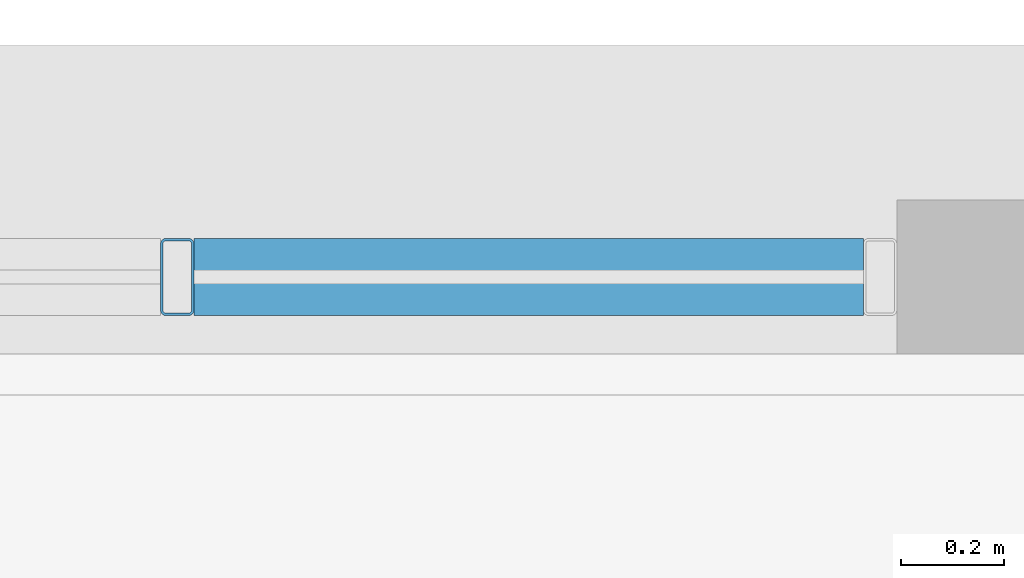
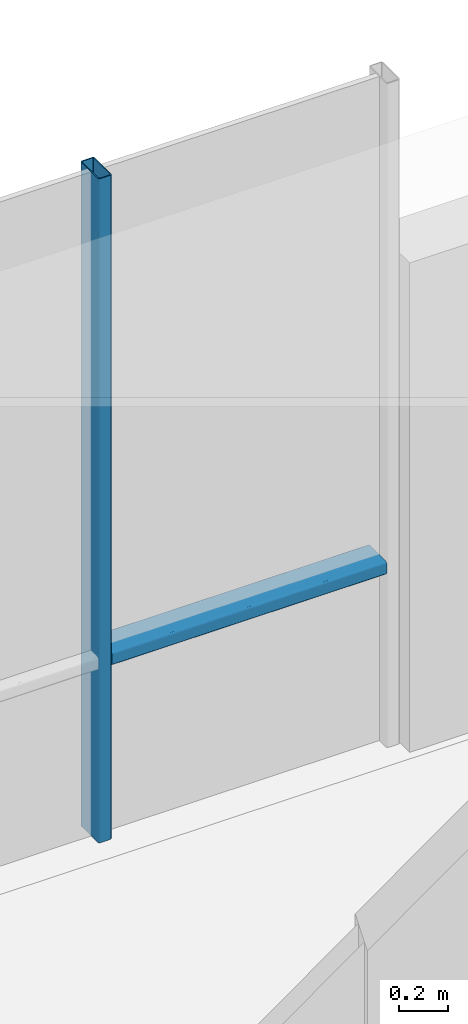
# One storey, part 12 of 35: 2 members, 1 element without a shape of its own.
"""IFC4 building model written with IfcOpenShell, lengths in metres."""

from ifc_helpers import new_model, si_unit, direction, frame, origin, origin_2d, place, context, subcontext, project, spatial, hollow_rectangle, extrude, material, layer, layer_set, material_profile, profile_set, type_object, element, aggregate, save


model = new_model("IFC4")

# Units and contexts
model_context = context("Model", 3, precision=1e-05, world=origin(), true_north=direction((0.0, 1.0)))
body_context = subcontext(model_context, "Body", "Model", "MODEL_VIEW")
ifc_project = project(units=[si_unit("LENGTHUNIT", "METRE"), si_unit("AREAUNIT", "SQUARE_METRE"), si_unit("VOLUMEUNIT", "CUBIC_METRE"), si_unit("PLANEANGLEUNIT", "RADIAN"), si_unit("MASSUNIT", "GRAM", prefix="KILO")], contexts=[model_context])

# Site, building, storey
site_placement = place(None, origin())
site = spatial("IfcSite", under=ifc_project, at=site_placement, CompositionType="ELEMENT")
building_placement = place(site_placement, origin())
building = spatial("IfcBuilding", under=site, at=building_placement, Name="Brevholm Reach", CompositionType="ELEMENT")
storey_placement = place(building_placement, frame((0.0, 0.0, 214.39990234375)))
storey = spatial("IfcBuildingStorey", under=building, at=storey_placement, Name="L65", CompositionType="ELEMENT", Elevation=214.39990234375)

# Curtain wall, members
ifc_material_1 = material(Name="Dark Anodised Aluminium 6063-T6 and Solar-Control Glass", Category="aluminium")
ifc_layer = layer(ifc_material_1, 0.14990234375)
ifc_layer_set = layer_set([ifc_layer], Name="Dark Anodised Aluminium 6063-T6 and Solar-Control Glass")
curtain_wall_type = type_object("IfcCurtainWallType", Name="CW-01", PredefinedType="NOTDEFINED", material=ifc_layer_set)
curtain_wall_placement = place(storey_placement, origin())
curtain_wall = element("IfcCurtainWall", 1, at=curtain_wall_placement, inside=storey, type_object=curtain_wall_type, Name="L65 Curtain Wall CW-01", PredefinedType="NOTDEFINED")
ifc_material_2 = material(Name="Dark Anodised Aluminium 6063-T6", Category="aluminium")
ifc_material_profile_1 = material_profile(ifc_material_2, hollow_rectangle(XDim=0.06494140625, YDim=0.14990234375, WallThickness=0.0048828125, InnerFilletRadius=0.0048828125, OuterFilletRadius=0.010009765625, at=origin_2d()), Name="RHS 150x65x5")
ifc_profile_set_1 = profile_set([ifc_material_profile_1], Name="Dark Anodised Aluminium 6063-T6")
member_type_1 = type_object("IfcMemberType", Name="CWM-150", PredefinedType="MULLION", material=ifc_profile_set_1)
member_1_placement = place(storey_placement, frame((30.800048828125, 26.35009765625, 0.0), z_axis=(0.0, 0.0, 1.0), x_axis=(1.0, 0.0, 0.0)))
member_1 = element("IfcMember", 2, at=member_1_placement, type_object=member_type_1, Name="CM-150 Mullion 2", PredefinedType="MULLION", context=body_context, shape_type="SweptSolid", body=[
    extrude(hollow_rectangle(XDim=0.06494140625, YDim=0.14990234375, WallThickness=0.0048828125, InnerFilletRadius=0.0048828125, OuterFilletRadius=0.010009765625, at=origin_2d()), origin(), (0.0, 0.0, 1.0), 3.330078125),
])
ifc_material_3 = material(Name="Dark Anodised Aluminium 6063-T6", Category="aluminium")
ifc_material_profile_2 = material_profile(ifc_material_3, hollow_rectangle(XDim=0.06494140625, YDim=0.14990234375, WallThickness=0.0048828125, InnerFilletRadius=0.0048828125, OuterFilletRadius=0.010009765625, at=origin_2d()), Name="RHS 150x65x5")
ifc_profile_set_2 = profile_set([ifc_material_profile_2], Name="Dark Anodised Aluminium 6063-T6")
member_type_2 = type_object("IfcMemberType", Name="CWT-150", PredefinedType="NOTDEFINED", material=ifc_profile_set_2)
member_2_placement = place(storey_placement, frame((30.83251953125, 26.35009765625, 0.900146484375), z_axis=(1.0, 0.0, 0.0), x_axis=(0.0, 0.0, 1.0)))
member_2 = element("IfcMember", 3, at=member_2_placement, type_object=member_type_2, Name="CT-150 Transom 2.1", ObjectType="TRANSOM", PredefinedType="USERDEFINED", context=body_context, shape_type="SweptSolid", body=[
    extrude(hollow_rectangle(XDim=0.06494140625, YDim=0.14990234375, WallThickness=0.0048828125, InnerFilletRadius=0.0048828125, OuterFilletRadius=0.010009765625, at=origin_2d()), origin(), (0.0, 0.0, 1.0), 1.302490234375),
])
aggregate(curtain_wall, [member_1, member_2])

save(model, "model.ifc")
